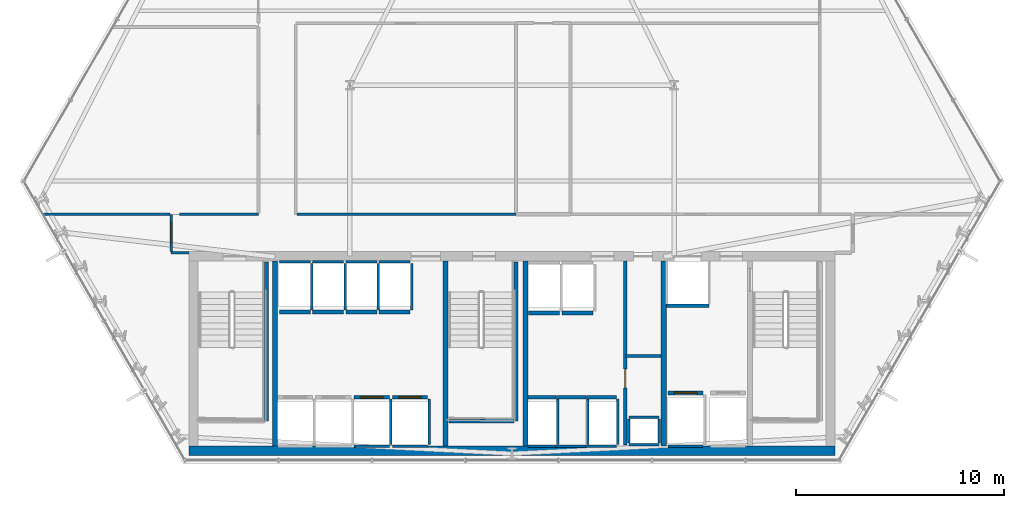
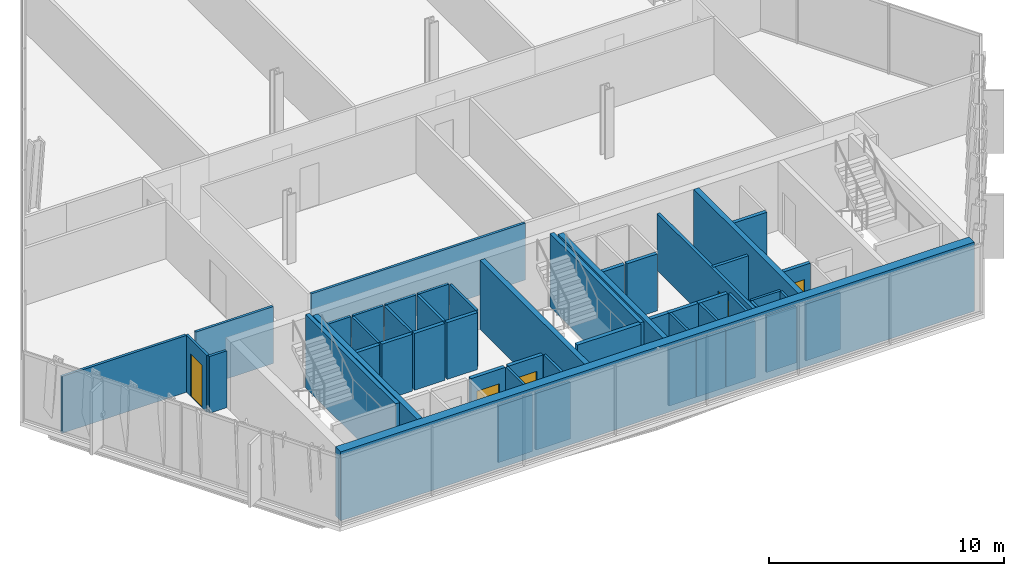
# One storey, part 26 of 32: 51 walls, 5 doors, 5 openings.
"""IFC4 building model written with IfcOpenShell, lengths in metres."""

from ifc_helpers import new_model, si_unit, direction, frame, frame_2d, origin, place, context, subcontext, project, spatial, rectangle, extrude, material, layer, layer_set, type_object, element, fill, save


model = new_model("IFC4")

# Units and contexts
model_context = context("Model", 3, precision=1e-05, world=origin(), true_north=direction((0.0, 1.0)))
body_context = subcontext(model_context, "Body", "Model", "MODEL_VIEW")
ifc_project = project(units=[si_unit("LENGTHUNIT", "METRE"), si_unit("AREAUNIT", "SQUARE_METRE"), si_unit("VOLUMEUNIT", "CUBIC_METRE"), si_unit("PLANEANGLEUNIT", "RADIAN"), si_unit("MASSUNIT", "GRAM", prefix="KILO")], contexts=[model_context])

# Site, building, storey
site_placement = place(None, origin())
site = spatial("IfcSite", under=ifc_project, at=site_placement, CompositionType="ELEMENT")
building_placement = place(site_placement, origin())
building = spatial("IfcBuilding", under=site, at=building_placement, Name="Ndaravel Arena Tower", CompositionType="ELEMENT")
storey_placement = place(building_placement, frame((0.0, 0.0, 66.39990234375)))
storey = spatial("IfcBuildingStorey", under=building, at=storey_placement, Name="L14", CompositionType="ELEMENT", Elevation=66.39990234375)

# Wall, opening, door
ifc_material_1 = material(Name="Gypsum", Category="gypsum")
ifc_layer_1 = layer(ifc_material_1, 0.14990234375)
ifc_layer_set_1 = layer_set([ifc_layer_1], Name="Gypsum")
wall_type_1 = type_object("IfcWallType", Name="WALL-COMP-150", PredefinedType="PARTITIONING", material=ifc_layer_set_1)
wall_1_placement = place(storey_placement, frame((47.449951171875, 5.89990234375, 0.0), z_axis=(0.0, 0.0, 1.0), x_axis=(0.0, 1.0, 0.0)))
wall_1 = element("IfcWall", 1, at=wall_1_placement, inside=storey, type_object=wall_type_1, Name="L14 Core Riser Bay Partition", PredefinedType="PARTITIONING", context=body_context, shape_type="SweptSolid", body=[
    extrude(rectangle(XDim=8.85009765625, YDim=0.14990234375, at=frame_2d((4.425048828125, 0.0))), origin(), (0.0, 0.0, 1.0), 2.9501953125),
])
opening_1_placement = place(wall_1_placement, frame((2.75, 0.0, 0.0)))
opening_1 = element("IfcOpeningElement", 2, at=opening_1_placement, cuts=wall_1, Name="Opening RD-01", PredefinedType="OPENING", context=body_context, shape_type="SweptSolid", body=[
    extrude(rectangle(XDim=0.89990234375, YDim=2.10009765625, at=frame_2d((0.449951171875, 1.050048828125))), frame((0.0, 0.074951171875, 0.0), z_axis=(0.0, -1.0, 0.0), x_axis=(1.0, 0.0, 0.0)), (0.0, 0.0, 1.0), 0.14990234375),
])
ifc_material_2 = material(Name="Steel S355", Category="steel")
door_type_1 = type_object("IfcDoorType", Name="DT-08-RISER-900", OperationType="SINGLE_SWING_LEFT", PredefinedType="DOOR", material=ifc_material_2)
door_1_placement = place(opening_1_placement, origin())
door_1 = element("IfcDoor", 3, at=door_1_placement, inside=storey, type_object=door_type_1, Name="L14 Electrical Riser Door", OperationType="SINGLE_SWING_RIGHT", OverallHeight=2.10009765625, OverallWidth=0.89990234375, PredefinedType="DOOR", context=body_context, shape_type="SweptSolid", body=[
    extrude(rectangle(XDim=0.89990234375, YDim=2.10009765625, at=frame_2d((0.449951171875, 1.050048828125))), frame((0.0, 0.02490234375, 0.0), z_axis=(0.0, -1.0, 0.0), x_axis=(1.0, 0.0, 0.0)), (0.0, 0.0, 1.0), 0.050048828125),
])
fill(opening_1, door_1)

# Walls
wall_2_placement = place(storey_placement, frame((47.449951171875, 10.179931640625, 0.0), z_axis=(0.0, 0.0, 1.0), x_axis=(1.0, 0.0, 0.0)))
element("IfcWall", 4, at=wall_2_placement, inside=storey, type_object=wall_type_1, Name="L14 Core Riser Divider 1", PredefinedType="PARTITIONING", context=body_context, shape_type="SweptSolid", body=[
    extrude(rectangle(XDim=1.72998046875, YDim=0.14990234375, at=frame_2d((0.864990234375, 0.0))), origin(), (0.0, 0.0, 1.0), 2.9501953125),
])
ifc_material_3 = material(Name="Concrete C60/75", Category="concrete")
ifc_layer_2 = layer(ifc_material_3, 0.25)
ifc_layer_set_2 = layer_set([ifc_layer_2], Name="Concrete C60/75")
wall_type_2 = type_object("IfcWallType", Name="WALL-CORE-250", PredefinedType="SOLIDWALL", material=ifc_layer_set_2)
for number, where, z_axis, x_axis, name in (
    (5, (30.60009765625, 5.85009765625, 0.0), (0.0, 0.0, 1.0), (0.0, 1.0, 0.0), "L14 Core Web Shear Wall 1"),
    (6, (38.800048828125, 5.85009765625, 0.0), (0.0, 0.0, 1.0), (0.0, 1.0, 0.0), "L14 Core Web Shear Wall 2"),
    (7, (42.64990234375, 5.85009765625, 0.0), (0.0, 0.0, 1.0), (0.0, 1.0, 0.0), "L14 Core Web Shear Wall 3"),
    (8, (49.300048828125, 5.85009765625, 0.0), (0.0, 0.0, 1.0), (0.0, 1.0, 0.0), "L14 Core Web Shear Wall 4"),
):
    element("IfcWall", number, at=place(storey_placement, frame(where, z_axis=z_axis, x_axis=x_axis)), inside=storey, type_object=wall_type_2, Name=name, PredefinedType="SOLIDWALL", context=body_context, shape_type="SweptSolid", body=[
        extrude(rectangle(XDim=8.89990234375, YDim=0.25, at=frame_2d((4.449951171875, 0.0))), origin(), (0.0, 0.0, 1.0), 3.580078125),
    ])
ifc_material_4 = material(Name="Concrete C60/75", Category="concrete")
ifc_layer_3 = layer(ifc_material_4, 0.449951171875)
ifc_layer_set_3 = layer_set([ifc_layer_3], Name="Concrete C60/75")
wall_type_3 = type_object("IfcWallType", Name="WALL-CORE-450", PredefinedType="SOLIDWALL", material=ifc_layer_set_3)
wall_3_placement = place(storey_placement, frame((26.449951171875, 5.625, 0.0), z_axis=(0.0, 0.0, 1.0), x_axis=(1.0, 0.0, 0.0)))
element("IfcWall", 9, at=wall_3_placement, inside=storey, type_object=wall_type_3, Name="L14 Core South Shear Wall", PredefinedType="SOLIDWALL", context=body_context, shape_type="SweptSolid", body=[
    extrude(rectangle(XDim=31.10009765625, YDim=0.449951171875, at=frame_2d((15.550048828125, 0.0))), origin(), (0.0, 0.0, 1.0), 3.580078125),
])
ifc_material_5 = material(Name="Gypsum", Category="gypsum")
ifc_layer_4 = layer(ifc_material_5, 0.125)
ifc_layer_set_4 = layer_set([ifc_layer_4], Name="Gypsum")
wall_type_4 = type_object("IfcWallType", Name="WALL-PART-125", PredefinedType="PARTITIONING", material=ifc_layer_set_4)
wall_4_placement = place(storey_placement, frame((26.449951171875, 15.14990234375, 0.0), z_axis=(0.0, 0.0, 1.0), x_axis=(-1.0, 0.0, 0.0)))
element("IfcWall", 10, at=wall_4_placement, inside=storey, type_object=wall_type_4, Name="L14 Interior Partition 003", PredefinedType="PARTITIONING", context=body_context, shape_type="SweptSolid", body=[
    extrude(rectangle(XDim=0.849853515625, YDim=0.125, at=frame_2d((0.4248046875, 0.0))), origin(), (0.0, 0.0, 1.0), 2.9501953125),
])

# Wall, opening, door
wall_5_placement = place(storey_placement, frame((25.60009765625, 15.215087890625, 0.0), z_axis=(0.0, 0.0, 1.0), x_axis=(0.0, 1.0, 0.0)))
wall_5 = element("IfcWall", 11, at=wall_5_placement, inside=storey, type_object=wall_type_4, Name="L14 Interior Partition 004", PredefinedType="PARTITIONING", context=body_context, shape_type="SweptSolid", body=[
    extrude(rectangle(XDim=1.784912109375, YDim=0.125, at=frame_2d((0.892578125, 0.0))), origin(), (0.0, 0.0, 1.0), 2.9501953125),
])
opening_2_placement = place(wall_5_placement, frame((0.41748046875, 0.0, 0.0)))
opening_2 = element("IfcOpeningElement", 12, at=opening_2_placement, cuts=wall_5, Name="Opening ID-01", PredefinedType="OPENING", context=body_context, shape_type="SweptSolid", body=[
    extrude(rectangle(XDim=0.949951171875, YDim=2.199951171875, at=frame_2d((0.47509765625, 1.10009765625))), frame((0.0, 0.0625, 0.0), z_axis=(0.0, -1.0, 0.0), x_axis=(1.0, 0.0, 0.0)), (0.0, 0.0, 1.0), 0.125),
])
ifc_material_6 = material(Name="Timber", Category="wood")
door_type_2 = type_object("IfcDoorType", Name="DT-03-OFFICE-950", OperationType="SINGLE_SWING_LEFT", PredefinedType="DOOR", material=ifc_material_6)
door_2_placement = place(opening_2_placement, origin())
door_2 = element("IfcDoor", 13, at=door_2_placement, inside=storey, type_object=door_type_2, Name="L14 Open Plan Workplace Door", OperationType="SINGLE_SWING_LEFT", OverallHeight=2.199951171875, OverallWidth=0.949951171875, PredefinedType="DOOR", context=body_context, shape_type="SweptSolid", body=[
    extrude(rectangle(XDim=0.949951171875, YDim=2.199951171875, at=frame_2d((0.47509765625, 1.10009765625))), frame((0.0, 0.02490234375, 0.0), z_axis=(0.0, -1.0, 0.0), x_axis=(1.0, 0.0, 0.0)), (0.0, 0.0, 1.0), 0.050048828125),
])
fill(opening_2, door_2)

# Walls
wall_6_placement = place(storey_placement, frame((26.0, 17.0, 0.0), z_axis=(0.0, 0.0, 1.0), x_axis=(1.0, 0.0, 0.0)))
element("IfcWall", 14, at=wall_6_placement, inside=storey, type_object=wall_type_4, Name="L14 Interior Partition 005", PredefinedType="PARTITIONING", context=body_context, shape_type="SweptSolid", body=[
    extrude(rectangle(XDim=3.800048828125, YDim=0.125, at=frame_2d((1.89990234375, 0.0))), origin(), (0.0, 0.0, 1.0), 2.9501953125),
])
wall_7_placement = place(storey_placement, frame((31.6650390625, 17.0, 0.0), z_axis=(0.0, 0.0, 1.0), x_axis=(1.0, 0.0, 0.0)))
element("IfcWall", 15, at=wall_7_placement, inside=storey, type_object=wall_type_4, Name="L14 Interior Partition 018", PredefinedType="PARTITIONING", context=body_context, shape_type="SweptSolid", body=[
    extrude(rectangle(XDim=10.51904296875, YDim=0.125, at=frame_2d((5.259521484375, 0.0))), origin(), (0.0, 0.0, 1.0), 2.9501953125),
])
wall_8_placement = place(storey_placement, frame((19.42919921875, 17.0, 0.0), z_axis=(0.0, 0.0, 1.0), x_axis=(1.0, 0.0, 0.0)))
element("IfcWall", 16, at=wall_8_placement, inside=storey, type_object=wall_type_4, Name="L14 Interior Partition 022", PredefinedType="PARTITIONING", context=body_context, shape_type="SweptSolid", body=[
    extrude(rectangle(XDim=6.105712890625, YDim=0.125, at=frame_2d((3.052734375, 0.0))), origin(), (0.0, 0.0, 1.0), 2.9501953125),
])
ifc_material_7 = material(Name="Concrete C40/50", Category="concrete")
ifc_layer_5 = layer(ifc_material_7, 0.1201171875)
ifc_layer_set_5 = layer_set([ifc_layer_5], Name="Concrete C40/50")
wall_type_5 = type_object("IfcWallType", Name="WALL-SHAFT-120", PredefinedType="SOLIDWALL", material=ifc_layer_set_5)
for number, where, z_axis, x_axis, name in (
    (17, (47.6201171875, 5.919921875, 0.0), (0.0, 0.0, 1.0), (1.0, 0.0, 0.0), "L14 MEP Riser Shaft S Wall"),
    (18, (47.6201171875, 7.219970703125, 0.0), (0.0, 0.0, 1.0), (1.0, 0.0, 0.0), "L14 MEP Riser Shaft N Wall"),
):
    element("IfcWall", number, at=place(storey_placement, frame(where, z_axis=z_axis, x_axis=x_axis)), inside=storey, type_object=wall_type_5, Name=name, PredefinedType="SOLIDWALL", context=body_context, shape_type="SweptSolid", body=[
        extrude(rectangle(XDim=1.4599609375, YDim=0.1201171875, at=frame_2d((0.72998046875, 0.0))), origin(), (0.0, 0.0, 1.0), 2.9501953125),
    ])
for number, where, z_axis, x_axis, name in (
    (19, (47.6201171875, 6.0, 0.0), (0.0, 0.0, 1.0), (0.0, 1.0, 0.0), "L14 MEP Riser Shaft W Wall"),
    (20, (49.080078125, 6.0, 0.0), (0.0, 0.0, 1.0), (0.0, 1.0, 0.0), "L14 MEP Riser Shaft E Wall"),
):
    element("IfcWall", number, at=place(storey_placement, frame(where, z_axis=z_axis, x_axis=x_axis)), inside=storey, type_object=wall_type_5, Name=name, PredefinedType="SOLIDWALL", context=body_context, shape_type="SweptSolid", body=[
        extrude(rectangle(XDim=1.139892578125, YDim=0.1201171875, at=frame_2d((0.56982421875, 0.0))), origin(), (0.0, 0.0, 1.0), 2.9501953125),
    ])
wall_9_placement = place(storey_placement, frame((34.405029296875, 5.840087890625, 0.0), z_axis=(0.0, 0.0, 1.0), x_axis=(1.0, 0.0, 0.0)))
element("IfcWall", 21, at=wall_9_placement, inside=storey, type_object=wall_type_5, Name="L14 PL-L3 Shaft Rear Wall", PredefinedType="SOLIDWALL", context=body_context, shape_type="SweptSolid", body=[
    extrude(rectangle(XDim=1.68994140625, YDim=0.1201171875, at=frame_2d((0.844970703125, 0.0))), origin(), (0.0, 0.0, 1.0), 2.9501953125),
])
wall_10_placement = place(storey_placement, frame((36.175048828125, 5.929931640625, 0.0), z_axis=(0.0, 0.0, 1.0), x_axis=(0.0, 1.0, 0.0)))
element("IfcWall", 22, at=wall_10_placement, inside=storey, type_object=wall_type_5, Name="L14 PL-L3 Shaft Side R Wall", PredefinedType="SOLIDWALL", context=body_context, shape_type="SweptSolid", body=[
    extrude(rectangle(XDim=2.18017578125, YDim=0.1201171875, at=frame_2d((1.090087890625, 0.0))), origin(), (0.0, 0.0, 1.0), 2.9501953125),
])
wall_11_placement = place(storey_placement, frame((36.2548828125, 5.840087890625, 0.0), z_axis=(0.0, 0.0, 1.0), x_axis=(1.0, 0.0, 0.0)))
element("IfcWall", 23, at=wall_11_placement, inside=storey, type_object=wall_type_5, Name="L14 PL-L4 Shaft Rear Wall", PredefinedType="SOLIDWALL", context=body_context, shape_type="SweptSolid", body=[
    extrude(rectangle(XDim=1.690185546875, YDim=0.1201171875, at=frame_2d((0.84521484375, 0.0))), origin(), (0.0, 0.0, 1.0), 2.9501953125),
])
wall_12_placement = place(storey_placement, frame((38.02490234375, 5.929931640625, 0.0), z_axis=(0.0, 0.0, 1.0), x_axis=(0.0, 1.0, 0.0)))
element("IfcWall", 24, at=wall_12_placement, inside=storey, type_object=wall_type_5, Name="L14 PL-L4 Shaft Side R Wall", PredefinedType="SOLIDWALL", context=body_context, shape_type="SweptSolid", body=[
    extrude(rectangle(XDim=2.18017578125, YDim=0.1201171875, at=frame_2d((1.090087890625, 0.0))), origin(), (0.0, 0.0, 1.0), 2.9501953125),
])
wall_13_placement = place(storey_placement, frame((30.804931640625, 14.7099609375, 0.0), z_axis=(0.0, 0.0, 1.0), x_axis=(1.0, 0.0, 0.0)))
element("IfcWall", 25, at=wall_13_placement, inside=storey, type_object=wall_type_5, Name="L14 PL-M1 Shaft Rear Wall", PredefinedType="SOLIDWALL", context=body_context, shape_type="SweptSolid", body=[
    extrude(rectangle(XDim=1.489990234375, YDim=0.1201171875, at=frame_2d((0.7451171875, 0.0))), origin(), (0.0, 0.0, 1.0), 2.9501953125),
])
wall_14_placement = place(storey_placement, frame((32.375, 12.389892578125, 0.0), z_axis=(0.0, 0.0, 1.0), x_axis=(0.0, 1.0, 0.0)))
element("IfcWall", 26, at=wall_14_placement, inside=storey, type_object=wall_type_5, Name="L14 PL-M1 Shaft Side R Wall", PredefinedType="SOLIDWALL", context=body_context, shape_type="SweptSolid", body=[
    extrude(rectangle(XDim=2.230224609375, YDim=0.1201171875, at=frame_2d((1.115234375, 0.0))), origin(), (0.0, 0.0, 1.0), 2.9501953125),
])
wall_15_placement = place(storey_placement, frame((32.405029296875, 14.7099609375, 0.0), z_axis=(0.0, 0.0, 1.0), x_axis=(1.0, 0.0, 0.0)))
element("IfcWall", 27, at=wall_15_placement, inside=storey, type_object=wall_type_5, Name="L14 PL-M2 Shaft Rear Wall", PredefinedType="SOLIDWALL", context=body_context, shape_type="SweptSolid", body=[
    extrude(rectangle(XDim=1.489990234375, YDim=0.1201171875, at=frame_2d((0.7451171875, 0.0))), origin(), (0.0, 0.0, 1.0), 2.9501953125),
])
wall_16_placement = place(storey_placement, frame((33.97509765625, 12.389892578125, 0.0), z_axis=(0.0, 0.0, 1.0), x_axis=(0.0, 1.0, 0.0)))
element("IfcWall", 28, at=wall_16_placement, inside=storey, type_object=wall_type_5, Name="L14 PL-M2 Shaft Side R Wall", PredefinedType="SOLIDWALL", context=body_context, shape_type="SweptSolid", body=[
    extrude(rectangle(XDim=2.230224609375, YDim=0.1201171875, at=frame_2d((1.115234375, 0.0))), origin(), (0.0, 0.0, 1.0), 2.9501953125),
])
wall_17_placement = place(storey_placement, frame((34.0048828125, 14.7099609375, 0.0), z_axis=(0.0, 0.0, 1.0), x_axis=(1.0, 0.0, 0.0)))
element("IfcWall", 29, at=wall_17_placement, inside=storey, type_object=wall_type_5, Name="L14 PL-M3 Shaft Rear Wall", PredefinedType="SOLIDWALL", context=body_context, shape_type="SweptSolid", body=[
    extrude(rectangle(XDim=1.490234375, YDim=0.1201171875, at=frame_2d((0.7451171875, 0.0))), origin(), (0.0, 0.0, 1.0), 2.9501953125),
])
wall_18_placement = place(storey_placement, frame((35.574951171875, 12.389892578125, 0.0), z_axis=(0.0, 0.0, 1.0), x_axis=(0.0, 1.0, 0.0)))
element("IfcWall", 30, at=wall_18_placement, inside=storey, type_object=wall_type_5, Name="L14 PL-M3 Shaft Side R Wall", PredefinedType="SOLIDWALL", context=body_context, shape_type="SweptSolid", body=[
    extrude(rectangle(XDim=2.230224609375, YDim=0.1201171875, at=frame_2d((1.115234375, 0.0))), origin(), (0.0, 0.0, 1.0), 2.9501953125),
])
wall_19_placement = place(storey_placement, frame((35.60498046875, 14.7099609375, 0.0), z_axis=(0.0, 0.0, 1.0), x_axis=(1.0, 0.0, 0.0)))
element("IfcWall", 31, at=wall_19_placement, inside=storey, type_object=wall_type_5, Name="L14 PL-M4 Shaft Rear Wall", PredefinedType="SOLIDWALL", context=body_context, shape_type="SweptSolid", body=[
    extrude(rectangle(XDim=1.489990234375, YDim=0.1201171875, at=frame_2d((0.7451171875, 0.0))), origin(), (0.0, 0.0, 1.0), 2.9501953125),
])
wall_20_placement = place(storey_placement, frame((37.175048828125, 12.389892578125, 0.0), z_axis=(0.0, 0.0, 1.0), x_axis=(0.0, 1.0, 0.0)))
element("IfcWall", 32, at=wall_20_placement, inside=storey, type_object=wall_type_5, Name="L14 PL-M4 Shaft Side R Wall", PredefinedType="SOLIDWALL", context=body_context, shape_type="SweptSolid", body=[
    extrude(rectangle(XDim=2.230224609375, YDim=0.1201171875, at=frame_2d((1.115234375, 0.0))), origin(), (0.0, 0.0, 1.0), 2.9501953125),
])
wall_21_placement = place(storey_placement, frame((42.780029296875, 5.840087890625, 0.0), z_axis=(0.0, 0.0, 1.0), x_axis=(1.0, 0.0, 0.0)))
element("IfcWall", 33, at=wall_21_placement, inside=storey, type_object=wall_type_5, Name="L14 PL-H1 Shaft Rear Wall", PredefinedType="SOLIDWALL", context=body_context, shape_type="SweptSolid", body=[
    extrude(rectangle(XDim=1.340087890625, YDim=0.1201171875, at=frame_2d((0.669921875, 0.0))), origin(), (0.0, 0.0, 1.0), 2.9501953125),
])
wall_22_placement = place(storey_placement, frame((44.199951171875, 5.929931640625, 0.0), z_axis=(0.0, 0.0, 1.0), x_axis=(0.0, 1.0, 0.0)))
element("IfcWall", 34, at=wall_22_placement, inside=storey, type_object=wall_type_5, Name="L14 PL-H1 Shaft Side R Wall", PredefinedType="SOLIDWALL", context=body_context, shape_type="SweptSolid", body=[
    extrude(rectangle(XDim=2.18017578125, YDim=0.1201171875, at=frame_2d((1.090087890625, 0.0))), origin(), (0.0, 0.0, 1.0), 2.9501953125),
])
wall_23_placement = place(storey_placement, frame((44.1298828125, 5.840087890625, 0.0), z_axis=(0.0, 0.0, 1.0), x_axis=(1.0, 0.0, 0.0)))
element("IfcWall", 35, at=wall_23_placement, inside=storey, type_object=wall_type_5, Name="L14 PL-H2 Shaft Rear Wall", PredefinedType="SOLIDWALL", context=body_context, shape_type="SweptSolid", body=[
    extrude(rectangle(XDim=1.440185546875, YDim=0.1201171875, at=frame_2d((0.72021484375, 0.0))), origin(), (0.0, 0.0, 1.0), 2.9501953125),
])
wall_24_placement = place(storey_placement, frame((45.64990234375, 5.929931640625, 0.0), z_axis=(0.0, 0.0, 1.0), x_axis=(0.0, 1.0, 0.0)))
element("IfcWall", 36, at=wall_24_placement, inside=storey, type_object=wall_type_5, Name="L14 PL-H2 Shaft Side R Wall", PredefinedType="SOLIDWALL", context=body_context, shape_type="SweptSolid", body=[
    extrude(rectangle(XDim=2.18017578125, YDim=0.1201171875, at=frame_2d((1.090087890625, 0.0))), origin(), (0.0, 0.0, 1.0), 2.9501953125),
])
wall_25_placement = place(storey_placement, frame((45.580078125, 5.840087890625, 0.0), z_axis=(0.0, 0.0, 1.0), x_axis=(1.0, 0.0, 0.0)))
element("IfcWall", 37, at=wall_25_placement, inside=storey, type_object=wall_type_5, Name="L14 PL-H3 Shaft Rear Wall", PredefinedType="SOLIDWALL", context=body_context, shape_type="SweptSolid", body=[
    extrude(rectangle(XDim=1.43994140625, YDim=0.1201171875, at=frame_2d((0.719970703125, 0.0))), origin(), (0.0, 0.0, 1.0), 2.9501953125),
])
wall_26_placement = place(storey_placement, frame((47.10009765625, 5.929931640625, 0.0), z_axis=(0.0, 0.0, 1.0), x_axis=(0.0, 1.0, 0.0)))
element("IfcWall", 38, at=wall_26_placement, inside=storey, type_object=wall_type_5, Name="L14 PL-H3 Shaft Side R Wall", PredefinedType="SOLIDWALL", context=body_context, shape_type="SweptSolid", body=[
    extrude(rectangle(XDim=2.18017578125, YDim=0.1201171875, at=frame_2d((1.090087890625, 0.0))), origin(), (0.0, 0.0, 1.0), 2.9501953125),
])
wall_27_placement = place(storey_placement, frame((49.5048828125, 5.840087890625, 0.0), z_axis=(0.0, 0.0, 1.0), x_axis=(1.0, 0.0, 0.0)))
element("IfcWall", 39, at=wall_27_placement, inside=storey, type_object=wall_type_5, Name="L14 FFL-1 Shaft Rear Wall", PredefinedType="SOLIDWALL", context=body_context, shape_type="SweptSolid", body=[
    extrude(rectangle(XDim=1.690185546875, YDim=0.1201171875, at=frame_2d((0.84521484375, 0.0))), origin(), (0.0, 0.0, 1.0), 2.9501953125),
])
ifc_material_8 = material(Name="Concrete C40/50", Category="concrete")
ifc_layer_6 = layer(ifc_material_8, 0.199951171875)
ifc_layer_set_6 = layer_set([ifc_layer_6], Name="Concrete C40/50")
wall_type_6 = type_object("IfcWallType", Name="WALL-SHAFT-200", PredefinedType="SOLIDWALL", material=ifc_layer_set_6)
for number, where, z_axis, x_axis, name in (
    (40, (30.18994140625, 14.699951171875, 0.0), (0.0, 0.0, 1.0), (0.0, -1.0, 0.0), "L14 ST-1 Structural Shaft Wall Right"),
    (41, (42.18994140625, 14.699951171875, 0.0), (0.0, 0.0, 1.0), (0.0, -1.0, 0.0), "L14 ST-2 Structural Shaft Wall Right"),
):
    element("IfcWall", number, at=place(storey_placement, frame(where, z_axis=z_axis, x_axis=x_axis)), inside=storey, type_object=wall_type_6, Name=name, PredefinedType="SOLIDWALL", context=body_context, shape_type="SweptSolid", body=[
        extrude(rectangle(XDim=7.64990234375, YDim=0.199951171875, at=frame_2d((3.824951171875, 0.0))), origin(), (0.0, 0.0, 1.0), 3.800048828125),
    ])
wall_28_placement = place(storey_placement, frame((38.969970703125, 7.050048828125, 0.0), z_axis=(0.0, 0.0, 1.0), x_axis=(1.0, 0.0, 0.0)))
element("IfcWall", 42, at=wall_28_placement, inside=storey, type_object=wall_type_6, Name="L14 ST-2 Structural Shaft Wall Far", PredefinedType="SOLIDWALL", context=body_context, shape_type="SweptSolid", body=[
    extrude(rectangle(XDim=3.114990234375, YDim=0.199951171875, at=frame_2d((1.5576171875, 0.0))), origin(), (0.0, 0.0, 1.0), 3.800048828125),
])

# Wall, opening, door
wall_29_placement = place(storey_placement, frame((34.405029296875, 8.199951171875, 0.0), z_axis=(0.0, 0.0, 1.0), x_axis=(1.0, 0.0, 0.0)))
wall_29 = element("IfcWall", 43, at=wall_29_placement, inside=storey, type_object=wall_type_6, Name="L14 PL-L3 Shaft Landing Wall", PredefinedType="SOLIDWALL", context=body_context, shape_type="SweptSolid", body=[
    extrude(rectangle(XDim=1.68994140625, YDim=0.179931640625, at=frame_2d((0.844970703125, 0.0))), origin(), (0.0, 0.0, 1.0), 2.9501953125),
])
opening_3_placement = place(wall_29_placement, frame((0.294921875, 0.0, 0.0)))
opening_3 = element("IfcOpeningElement", 44, at=opening_3_placement, cuts=wall_29, Name="Opening LD-01", PredefinedType="OPENING", context=body_context, shape_type="SweptSolid", body=[
    extrude(rectangle(XDim=1.10009765625, YDim=2.199951171875, at=frame_2d((0.550048828125, 1.10009765625))), frame((0.0, 0.08984375, 0.0), z_axis=(0.0, -1.0, 0.0), x_axis=(1.0, 0.0, 0.0)), (0.0, 0.0, 1.0), 0.179931640625),
])
ifc_material_9 = material(Name="Steel S355", Category="steel")
door_type_3 = type_object("IfcDoorType", Name="DT-06-LIFT-1100", OperationType="SLIDING_TO_LEFT", PredefinedType="DOOR", material=ifc_material_9)
door_3_placement = place(opening_3_placement, origin())
door_3 = element("IfcDoor", 45, at=door_3_placement, inside=storey, type_object=door_type_3, Name="L14 Lift PL-L3 Sliding Landing Door", OperationType="SLIDING_TO_LEFT", OverallHeight=2.199951171875, OverallWidth=1.10009765625, PredefinedType="DOOR", context=body_context, shape_type="SweptSolid", body=[
    extrude(rectangle(XDim=1.10009765625, YDim=2.199951171875, at=frame_2d((0.550048828125, 1.10009765625))), frame((0.0, 0.02490234375, 0.0), z_axis=(0.0, -1.0, 0.0), x_axis=(1.0, 0.0, 0.0)), (0.0, 0.0, 1.0), 0.050048828125),
])
fill(opening_3, door_3)

wall_30_placement = place(storey_placement, frame((36.2548828125, 8.199951171875, 0.0), z_axis=(0.0, 0.0, 1.0), x_axis=(1.0, 0.0, 0.0)))
wall_30 = element("IfcWall", 46, at=wall_30_placement, inside=storey, type_object=wall_type_6, Name="L14 PL-L4 Shaft Landing Wall", PredefinedType="SOLIDWALL", context=body_context, shape_type="SweptSolid", body=[
    extrude(rectangle(XDim=1.690185546875, YDim=0.179931640625, at=frame_2d((0.84521484375, 0.0))), origin(), (0.0, 0.0, 1.0), 2.9501953125),
])
opening_4_placement = place(wall_30_placement, frame((0.294921875, 0.0, 0.0)))
opening_4 = element("IfcOpeningElement", 47, at=opening_4_placement, cuts=wall_30, Name="Opening LD-01", PredefinedType="OPENING", context=body_context, shape_type="SweptSolid", body=[
    extrude(rectangle(XDim=1.10009765625, YDim=2.199951171875, at=frame_2d((0.550048828125, 1.10009765625))), frame((0.0, 0.08984375, 0.0), z_axis=(0.0, -1.0, 0.0), x_axis=(1.0, 0.0, 0.0)), (0.0, 0.0, 1.0), 0.179931640625),
])
door_4_placement = place(opening_4_placement, origin())
door_4 = element("IfcDoor", 48, at=door_4_placement, inside=storey, type_object=door_type_3, Name="L14 Lift PL-L4 Sliding Landing Door", OperationType="SLIDING_TO_LEFT", OverallHeight=2.199951171875, OverallWidth=1.10009765625, PredefinedType="DOOR", context=body_context, shape_type="SweptSolid", body=[
    extrude(rectangle(XDim=1.10009765625, YDim=2.199951171875, at=frame_2d((0.550048828125, 1.10009765625))), frame((0.0, 0.02490234375, 0.0), z_axis=(0.0, -1.0, 0.0), x_axis=(1.0, 0.0, 0.0)), (0.0, 0.0, 1.0), 0.050048828125),
])
fill(opening_4, door_4)

# Walls
for number, where, z_axis, x_axis, name in (
    (49, (30.804931640625, 12.300048828125, 0.0), (0.0, 0.0, 1.0), (1.0, 0.0, 0.0), "L14 PL-M1 Shaft Landing Wall"),
    (50, (32.405029296875, 12.300048828125, 0.0), (0.0, 0.0, 1.0), (1.0, 0.0, 0.0), "L14 PL-M2 Shaft Landing Wall"),
):
    element("IfcWall", number, at=place(storey_placement, frame(where, z_axis=z_axis, x_axis=x_axis)), inside=storey, type_object=wall_type_6, Name=name, PredefinedType="SOLIDWALL", context=body_context, shape_type="SweptSolid", body=[
        extrude(rectangle(XDim=1.489990234375, YDim=0.179931640625, at=frame_2d((0.7451171875, 0.0))), origin(), (0.0, 0.0, 1.0), 2.9501953125),
    ])
wall_31_placement = place(storey_placement, frame((34.0048828125, 12.300048828125, 0.0), z_axis=(0.0, 0.0, 1.0), x_axis=(1.0, 0.0, 0.0)))
element("IfcWall", 51, at=wall_31_placement, inside=storey, type_object=wall_type_6, Name="L14 PL-M3 Shaft Landing Wall", PredefinedType="SOLIDWALL", context=body_context, shape_type="SweptSolid", body=[
    extrude(rectangle(XDim=1.490234375, YDim=0.179931640625, at=frame_2d((0.7451171875, 0.0))), origin(), (0.0, 0.0, 1.0), 2.9501953125),
])
wall_32_placement = place(storey_placement, frame((35.60498046875, 12.300048828125, 0.0), z_axis=(0.0, 0.0, 1.0), x_axis=(1.0, 0.0, 0.0)))
element("IfcWall", 52, at=wall_32_placement, inside=storey, type_object=wall_type_6, Name="L14 PL-M4 Shaft Landing Wall", PredefinedType="SOLIDWALL", context=body_context, shape_type="SweptSolid", body=[
    extrude(rectangle(XDim=1.489990234375, YDim=0.179931640625, at=frame_2d((0.7451171875, 0.0))), origin(), (0.0, 0.0, 1.0), 2.9501953125),
])
wall_33_placement = place(storey_placement, frame((42.780029296875, 8.199951171875, 0.0), z_axis=(0.0, 0.0, 1.0), x_axis=(1.0, 0.0, 0.0)))
element("IfcWall", 53, at=wall_33_placement, inside=storey, type_object=wall_type_6, Name="L14 PL-H1 Shaft Landing Wall", PredefinedType="SOLIDWALL", context=body_context, shape_type="SweptSolid", body=[
    extrude(rectangle(XDim=1.340087890625, YDim=0.179931640625, at=frame_2d((0.669921875, 0.0))), origin(), (0.0, 0.0, 1.0), 2.9501953125),
])
wall_34_placement = place(storey_placement, frame((44.1298828125, 8.199951171875, 0.0), z_axis=(0.0, 0.0, 1.0), x_axis=(1.0, 0.0, 0.0)))
element("IfcWall", 54, at=wall_34_placement, inside=storey, type_object=wall_type_6, Name="L14 PL-H2 Shaft Landing Wall", PredefinedType="SOLIDWALL", context=body_context, shape_type="SweptSolid", body=[
    extrude(rectangle(XDim=1.440185546875, YDim=0.179931640625, at=frame_2d((0.72021484375, 0.0))), origin(), (0.0, 0.0, 1.0), 2.9501953125),
])
wall_35_placement = place(storey_placement, frame((45.580078125, 8.199951171875, 0.0), z_axis=(0.0, 0.0, 1.0), x_axis=(1.0, 0.0, 0.0)))
element("IfcWall", 55, at=wall_35_placement, inside=storey, type_object=wall_type_6, Name="L14 PL-H3 Shaft Landing Wall", PredefinedType="SOLIDWALL", context=body_context, shape_type="SweptSolid", body=[
    extrude(rectangle(XDim=1.43994140625, YDim=0.179931640625, at=frame_2d((0.719970703125, 0.0))), origin(), (0.0, 0.0, 1.0), 2.9501953125),
])
for number, where, z_axis, x_axis, name in (
    (56, (42.804931640625, 12.25, 0.0), (0.0, 0.0, 1.0), (1.0, 0.0, 0.0), "L14 PL-OBS1 Shaft Landing Wall"),
    (57, (44.405029296875, 12.25, 0.0), (0.0, 0.0, 1.0), (1.0, 0.0, 0.0), "L14 PL-OBS2 Shaft Landing Wall"),
):
    element("IfcWall", number, at=place(storey_placement, frame(where, z_axis=z_axis, x_axis=x_axis)), inside=storey, type_object=wall_type_6, Name=name, PredefinedType="SOLIDWALL", context=body_context, shape_type="SweptSolid", body=[
        extrude(rectangle(XDim=1.489990234375, YDim=0.179931640625, at=frame_2d((0.7451171875, 0.0))), origin(), (0.0, 0.0, 1.0), 2.9501953125),
    ])

# Wall, opening, door
wall_36_placement = place(storey_placement, frame((49.5048828125, 8.39990234375, 0.0), z_axis=(0.0, 0.0, 1.0), x_axis=(1.0, 0.0, 0.0)))
wall_36 = element("IfcWall", 58, at=wall_36_placement, inside=storey, type_object=wall_type_6, Name="L14 FFL-1 Shaft Landing Wall", PredefinedType="SOLIDWALL", context=body_context, shape_type="SweptSolid", body=[
    extrude(rectangle(XDim=1.690185546875, YDim=0.179931640625, at=frame_2d((0.84521484375, 0.0))), origin(), (0.0, 0.0, 1.0), 2.9501953125),
])
opening_5_placement = place(wall_36_placement, frame((0.294921875, 0.0, 0.0)))
opening_5 = element("IfcOpeningElement", 59, at=opening_5_placement, cuts=wall_36, Name="Opening LD-01", PredefinedType="OPENING", context=body_context, shape_type="SweptSolid", body=[
    extrude(rectangle(XDim=1.10009765625, YDim=2.199951171875, at=frame_2d((0.550048828125, 1.10009765625))), frame((0.0, 0.08984375, 0.0), z_axis=(0.0, -1.0, 0.0), x_axis=(1.0, 0.0, 0.0)), (0.0, 0.0, 1.0), 0.179931640625),
])
door_5_placement = place(opening_5_placement, origin())
door_5 = element("IfcDoor", 60, at=door_5_placement, inside=storey, type_object=door_type_3, Name="L14 Lift FFL-1 Sliding Landing Door", OperationType="SLIDING_TO_LEFT", OverallHeight=2.199951171875, OverallWidth=1.10009765625, PredefinedType="DOOR", context=body_context, shape_type="SweptSolid", body=[
    extrude(rectangle(XDim=1.10009765625, YDim=2.199951171875, at=frame_2d((0.550048828125, 1.10009765625))), frame((0.0, 0.02490234375, 0.0), z_axis=(0.0, -1.0, 0.0), x_axis=(1.0, 0.0, 0.0)), (0.0, 0.0, 1.0), 0.050048828125),
])
fill(opening_5, door_5)

# Wall
wall_37_placement = place(storey_placement, frame((49.43994140625, 12.594970703125, 0.0), z_axis=(0.0, 0.0, 1.0), x_axis=(1.0, 0.0, 0.0)))
element("IfcWall", 61, at=wall_37_placement, inside=storey, type_object=wall_type_6, Name="L14 SVL-1 Shaft South Wall", PredefinedType="SOLIDWALL", context=body_context, shape_type="SweptSolid", body=[
    extrude(rectangle(XDim=2.0400390625, YDim=0.179931640625, at=frame_2d((1.02001953125, 0.0))), origin(), (0.0, 0.0, 1.0), 2.9501953125),
])

save(model, "model.ifc")
